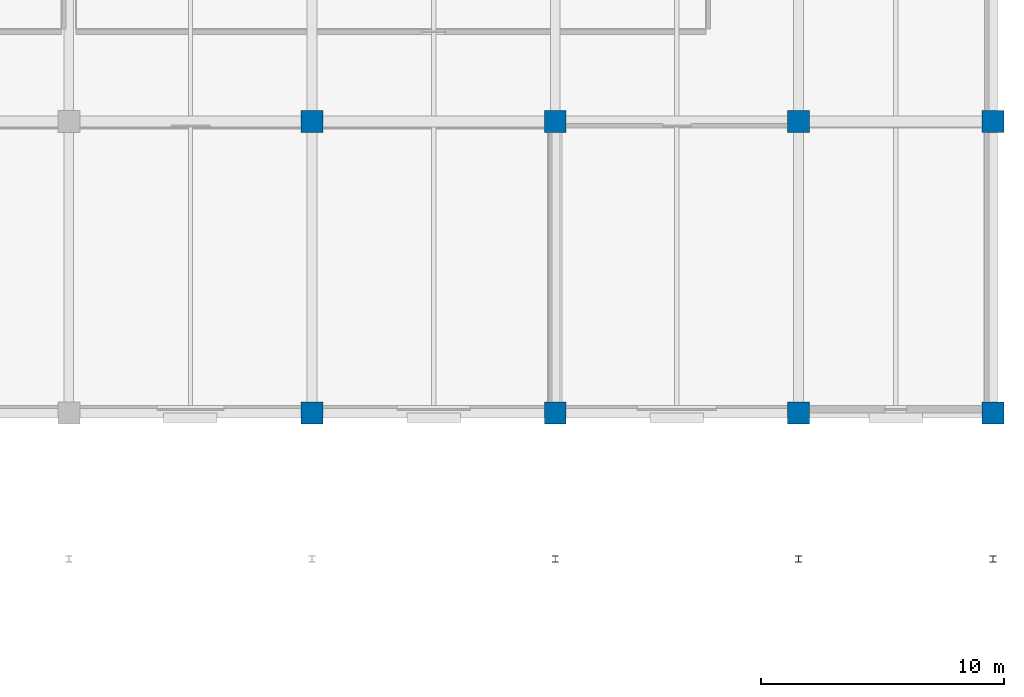
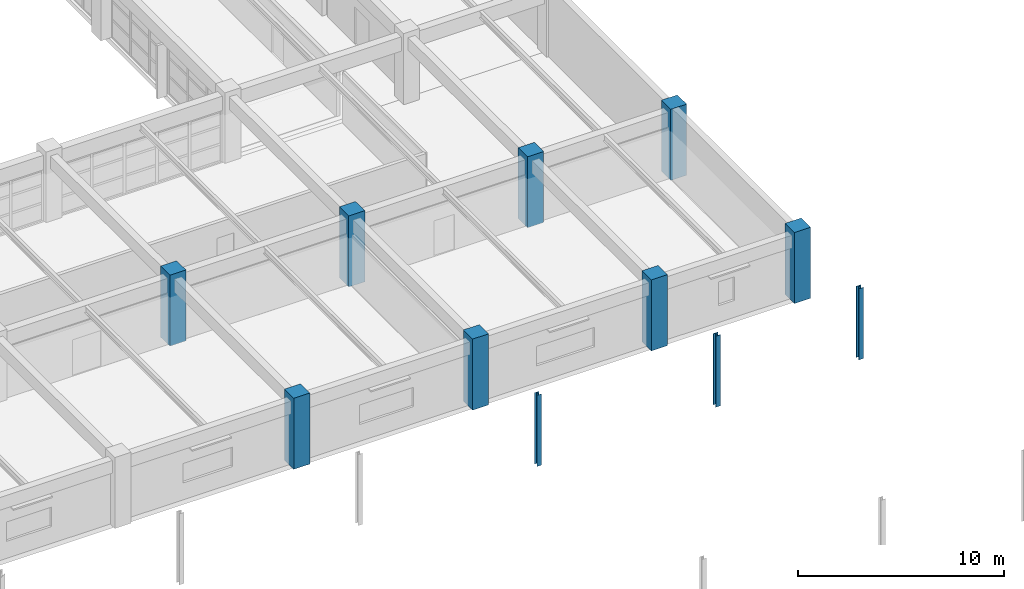
# One storey, part 19 of 100: 11 columns.
"""IFC4 building model written with IfcOpenShell, lengths in metres."""

import ifcopenshell
import ifcopenshell.guid

model = None  # the IFC model being written
_history = None  # IfcOwnerHistory: only IFC2X3 demands one
_inside = {}  # id of a spatial element -> (the spatial element, [elements in it])
_under = {}  # id of a project, library or spatial element -> (it, [spatial elements below it])
_declared = {}  # id of a project -> (the project, [libraries it declares])
_typed = {}  # id of a type object -> (the type object, [elements of that type])
_made_of = {}  # id of a material, layer set ... -> (it, [elements and type objects made of it])


def new_model(schema):
    """Start an empty IFC model of exactly this schema.

    Asked for "IFC4X3", IfcOpenShell would pick the latest addendum, in which some entities
    have other attributes; the version numbers below select the first issue.
    IFC2X3 requires an IfcOwnerHistory on every rooted entity: one is made here for all.
    """
    global model, _history
    if schema == "IFC4X3":
        model = ifcopenshell.file(schema_version=(4, 3, 0, 0))
    else:
        model = ifcopenshell.file(schema=schema)
    _inside.clear()
    _under.clear()
    _declared.clear()
    _typed.clear()
    _made_of.clear()
    _history = None
    if model.schema == "IFC2X3":
        org = make("IfcOrganization", Name="unknown")
        user = make(
            "IfcPersonAndOrganization",
            ThePerson=make("IfcPerson", FamilyName="unknown"),
            TheOrganization=org,
        )
        app = make(
            "IfcApplication",
            ApplicationDeveloper=org,
            Version="unknown",
            ApplicationFullName="unknown",
            ApplicationIdentifier="unknown",
        )
        _history = make(
            "IfcOwnerHistory",
            OwningUser=user,
            OwningApplication=app,
            ChangeAction="ADDED",
            CreationDate=0,
        )
    return model


def make(cls, **values):
    """One entity of the class cls with the attributes given. An attribute that is None is left unset."""
    return model.create_entity(
        cls, **{name: value for name, value in values.items() if value is not None}
    )


def rooted(cls, **values):
    """An entity with a GlobalId (a new one), such as an element, a storey or a relation."""
    return make(cls, GlobalId=ifcopenshell.guid.new(), OwnerHistory=_history, **values)


def si_unit(unit_type, name, prefix=None):
    """IfcSIUnit, for example si_unit("LENGTHUNIT", "METRE", prefix="MILLI")."""
    return make("IfcSIUnit", UnitType=unit_type, Prefix=prefix, Name=name)


def assignment(units):
    """IfcUnitAssignment: the units of a project."""
    return None if units is None else make("IfcUnitAssignment", Units=units)


def point(xyz):
    """IfcCartesianPoint."""
    return None if xyz is None else make("IfcCartesianPoint", Coordinates=xyz)


def direction(xyz):
    """IfcDirection."""
    return None if xyz is None else make("IfcDirection", DirectionRatios=xyz)


def frame(location, z_axis=None, x_axis=None):
    """IfcAxis2Placement3D, a coordinate frame: its origin and axes. An axis left out is left unset."""
    return make(
        "IfcAxis2Placement3D",
        Location=point(location),
        Axis=direction(z_axis),
        RefDirection=direction(x_axis),
    )


def frame_2d(location, x_axis=None):
    """IfcAxis2Placement2D, a coordinate frame in the plane: its origin and x axis."""
    return make(
        "IfcAxis2Placement2D", Location=point(location), RefDirection=direction(x_axis)
    )


def origin():
    """The frame at (0, 0, 0) with its axes left unset."""
    return frame((0.0, 0.0, 0.0))


def origin_2d():
    """The frame at (0, 0) in the plane with its x axis left unset."""
    return frame_2d((0.0, 0.0))


def place(relative_to, where):
    """IfcLocalPlacement: puts the frame where relative to a parent placement (None: the world)."""
    return make(
        "IfcLocalPlacement", PlacementRelTo=relative_to, RelativePlacement=where
    )


def context(
    kind, dimensions, precision=None, world=None, true_north=None, identifier=None
):
    """IfcGeometricRepresentationContext, for example the 3D "Model" context."""
    return make(
        "IfcGeometricRepresentationContext",
        ContextIdentifier=identifier,
        ContextType=kind,
        CoordinateSpaceDimension=dimensions,
        Precision=precision,
        WorldCoordinateSystem=world,
        TrueNorth=true_north,
    )


def subcontext(parent, identifier, kind, view, scale=None):
    """IfcGeometricRepresentationSubContext, for example "Body" below "Model"."""
    return make(
        "IfcGeometricRepresentationSubContext",
        ContextIdentifier=identifier,
        ContextType=kind,
        ParentContext=parent,
        TargetScale=scale,
        TargetView=view,
    )


def project(units=None, contexts=None):
    """IfcProject with its units and contexts."""
    return rooted(
        "IfcProject",
        Name="project",
        RepresentationContexts=contexts,
        UnitsInContext=assignment(units),
    )


def spatial(cls, under=None, at=None, **own):
    """A site, building, storey or space (cls), placed at a placement, below another one or the project."""
    s = rooted(cls, ObjectPlacement=at, **own)
    if under is not None:
        _under.setdefault(under.id(), (under, []))[1].append(s)
    return s


def profile(cls, at=None, kind="AREA", **sizes):
    """A parametric profile (cls). Its sizes go by their IFC names, for example OverallWidth=200.0."""
    return make(cls, ProfileType=kind, Position=at, **sizes)


def rectangle(**sizes):
    """IfcRectangleProfileDef."""
    return profile("IfcRectangleProfileDef", **sizes)


def i_section(**sizes):
    """IfcIShapeProfileDef."""
    return profile("IfcIShapeProfileDef", **sizes)


def extrude(swept, where, along, depth):
    """IfcExtrudedAreaSolid: the profile swept, set in the frame where, extruded along a direction by depth."""
    return make(
        "IfcExtrudedAreaSolid",
        SweptArea=swept,
        Position=where,
        ExtrudedDirection=direction(along),
        Depth=depth,
    )


def shape(context_of_items, identifier, shape_type, items):
    """IfcShapeRepresentation: the items that make up one representation, for example the "Body"."""
    return make(
        "IfcShapeRepresentation",
        ContextOfItems=context_of_items,
        RepresentationIdentifier=identifier,
        RepresentationType=shape_type,
        Items=items,
    )


def material(Name=None, Category=None):
    """IfcMaterial."""
    return make("IfcMaterial", Name=Name, Category=Category)


def material_profile(
    of_material, cross_section, Name=None, Category=None, Priority=None
):
    """IfcMaterialProfile: a cross section and its material."""
    return make(
        "IfcMaterialProfile",
        Name=Name,
        Material=of_material,
        Profile=cross_section,
        Priority=Priority,
        Category=Category,
    )


def profile_set(profiles, Name=None, composite=None):
    """IfcMaterialProfileSet."""
    return make(
        "IfcMaterialProfileSet",
        Name=Name,
        MaterialProfiles=profiles,
        CompositeProfile=composite,
    )


def made_of(thing, what):
    """Note that an element or type object is made of a material, layer set ...; save() writes the relation."""
    if what is not None:
        _made_of.setdefault(what.id(), (what, []))[1].append(thing)
    return thing


def type_object(cls, material=None, **own):
    """A type object (cls), such as IfcWallType, which elements share."""
    return made_of(rooted(cls, **own), material)


def element(
    cls,
    number,
    at=None,
    inside=None,
    cuts=None,
    type_object=None,
    material=None,
    context=None,
    identifier="Body",
    shape_type=None,
    held_by="IfcProductDefinitionShape",
    body=None,
    shapes=None,
    **own,
):
    """One element of the class cls, such as IfcWall. Its Tag is "e" and its number.

    at: its placement. inside: the storey or other place that contains it. cuts: it is an
    opening in that element (IfcRelVoidsElement). A single representation is given by context,
    identifier, shape_type and body (its items); several are given by shapes. held_by: the class
    of the entity that holds the representations. save() writes the other relations.
    """
    e = rooted(cls, Tag="e%d" % number, ObjectPlacement=at, **own)
    if body is not None:
        shapes = [shape(context, identifier, shape_type, body)]
    if shapes is not None:
        e.Representation = make(held_by, Representations=shapes)
    if inside is not None:
        _inside.setdefault(inside.id(), (inside, []))[1].append(e)
    if cuts is not None:
        rooted(
            "IfcRelVoidsElement", RelatingBuildingElement=cuts, RelatedOpeningElement=e
        )
    if type_object is not None:
        _typed.setdefault(type_object.id(), (type_object, []))[1].append(e)
    return made_of(e, material)


def aggregate(whole, parts):
    """IfcRelAggregates: a whole, such as a stair, and the parts it consists of."""
    return rooted("IfcRelAggregates", RelatingObject=whole, RelatedObjects=parts)


def save(model, path):
    """Write the relations noted so far, then the file.

    IfcRelAggregates (storeys below a building ...), IfcRelContainedInSpatialStructure (elements
    in a storey), IfcRelDefinesByType, IfcRelAssociatesMaterial and IfcRelDeclares: one each for
    every whole, place, type object, material and project.
    """
    for whole, parts in _under.values():
        aggregate(whole, parts)
    for where, things in _inside.values():
        rooted(
            "IfcRelContainedInSpatialStructure",
            RelatedElements=things,
            RelatingStructure=where,
        )
    for kind, things in _typed.values():
        rooted("IfcRelDefinesByType", RelatedObjects=things, RelatingType=kind)
    for what, things in _made_of.values():
        rooted("IfcRelAssociatesMaterial", RelatedObjects=things, RelatingMaterial=what)
    for by, libraries in _declared.values():
        rooted("IfcRelDeclares", RelatingContext=by, RelatedDefinitions=libraries)
    model.write(path)


model = new_model("IFC4")

# Units and contexts
model_context = context("Model", 3, precision=1e-05, world=origin(), true_north=direction((0.0, 1.0)))
body_context = subcontext(model_context, "Body", "Model", "MODEL_VIEW")
ifc_project = project(units=[si_unit("LENGTHUNIT", "METRE"), si_unit("AREAUNIT", "SQUARE_METRE"), si_unit("VOLUMEUNIT", "CUBIC_METRE"), si_unit("PLANEANGLEUNIT", "RADIAN"), si_unit("MASSUNIT", "GRAM", prefix="KILO")], contexts=[model_context])

# Site, building, storey
site_placement = place(None, origin())
site = spatial("IfcSite", under=ifc_project, at=site_placement, CompositionType="ELEMENT")
building_placement = place(site_placement, origin())
building = spatial("IfcBuilding", under=site, at=building_placement, Name="Kivolera Central Railway Station", CompositionType="ELEMENT")
storey_placement = place(building_placement, frame((0.0, 0.0, 5.39990234375)))
storey = spatial("IfcBuildingStorey", under=building, at=storey_placement, Name="L01", CompositionType="ELEMENT", Elevation=5.39990234375)

# Columns
ifc_material_1 = material(Name="Concrete C40/50", Category="concrete")
ifc_material_profile_1 = material_profile(ifc_material_1, rectangle(XDim=0.89990234375, YDim=0.89990234375, at=origin_2d()), Name="RC 900x900")
ifc_profile_set_1 = profile_set([ifc_material_profile_1], Name="Concrete C40/50")
column_type_1 = type_object("IfcColumnType", Name="COL-RC-900", PredefinedType="COLUMN", material=ifc_profile_set_1)
for number, where, z_axis, x_axis, name in (
    (1, (168.0, 54.0, 0.0), (0.0, 0.0, 1.0), (1.0, 0.0, 0.0), "L01 Wing Column 17-E"),
    (2, (168.0, 66.0, 0.0), (0.0, 0.0, 1.0), (1.0, 0.0, 0.0), "L01 Wing Column 17-F"),
    (3, (178.0, 54.0, 0.0), (0.0, 0.0, 1.0), (1.0, 0.0, 0.0), "L01 Wing Column 18-E"),
    (4, (178.0, 66.0, 0.0), (0.0, 0.0, 1.0), (1.0, 0.0, 0.0), "L01 Wing Column 18-F"),
    (5, (188.0, 54.0, 0.0), (0.0, 0.0, 1.0), (1.0, 0.0, 0.0), "L01 Wing Column 19-E"),
    (6, (188.0, 66.0, 0.0), (0.0, 0.0, 1.0), (1.0, 0.0, 0.0), "L01 Wing Column 19-F"),
    (7, (196.0, 54.0, 0.0), (0.0, 0.0, 1.0), (1.0, 0.0, 0.0), "L01 Wing Column 20-E"),
    (8, (196.0, 66.0, 0.0), (0.0, 0.0, 1.0), (1.0, 0.0, 0.0), "L01 Wing Column 20-F"),
):
    element("IfcColumn", number, at=place(storey_placement, frame(where, z_axis=z_axis, x_axis=x_axis)), inside=storey, type_object=column_type_1, Name=name, PredefinedType="COLUMN", context=body_context, shape_type="SweptSolid", body=[
        extrude(rectangle(XDim=0.89990234375, YDim=0.89990234375, at=origin_2d()), origin(), (0.0, 0.0, 1.0), 4.2001953125),
    ])
ifc_material_2 = material(Name="Steel S355", Category="steel")
ifc_material_profile_2 = material_profile(ifc_material_2, i_section(OverallWidth=0.25634765625, OverallDepth=0.26025390625, WebThickness=0.01025390625, FlangeThickness=0.017333984375, FilletRadius=0.0126953125, at=origin_2d()), Name="UC 254x254x89")
ifc_profile_set_2 = profile_set([ifc_material_profile_2], Name="Steel S355")
column_type_2 = type_object("IfcColumnType", Name="COL-STL-UC254", PredefinedType="COLUMN", material=ifc_profile_set_2)
for number, where, z_axis, x_axis, name in (
    (9, (178.0, 48.0, 0.0), (0.0, 0.0, 1.0), (1.0, 0.0, 0.0), "L01 Train Shed Column 18-D"),
    (10, (188.0, 48.0, 0.0), (0.0, 0.0, 1.0), (1.0, 0.0, 0.0), "L01 Train Shed Column 19-D"),
    (11, (196.0, 48.0, 0.0), (0.0, 0.0, 1.0), (1.0, 0.0, 0.0), "L01 Train Shed Column 20-D"),
):
    element("IfcColumn", number, at=place(storey_placement, frame(where, z_axis=z_axis, x_axis=x_axis)), inside=storey, type_object=column_type_2, Name=name, PredefinedType="COLUMN", context=body_context, shape_type="SweptSolid", body=[
        extrude(i_section(OverallWidth=0.25634765625, OverallDepth=0.26025390625, WebThickness=0.01025390625, FlangeThickness=0.017333984375, FilletRadius=0.0126953125, at=origin_2d()), origin(), (0.0, 0.0, 1.0), 4.2001953125),
    ])

save(model, "model.ifc")
